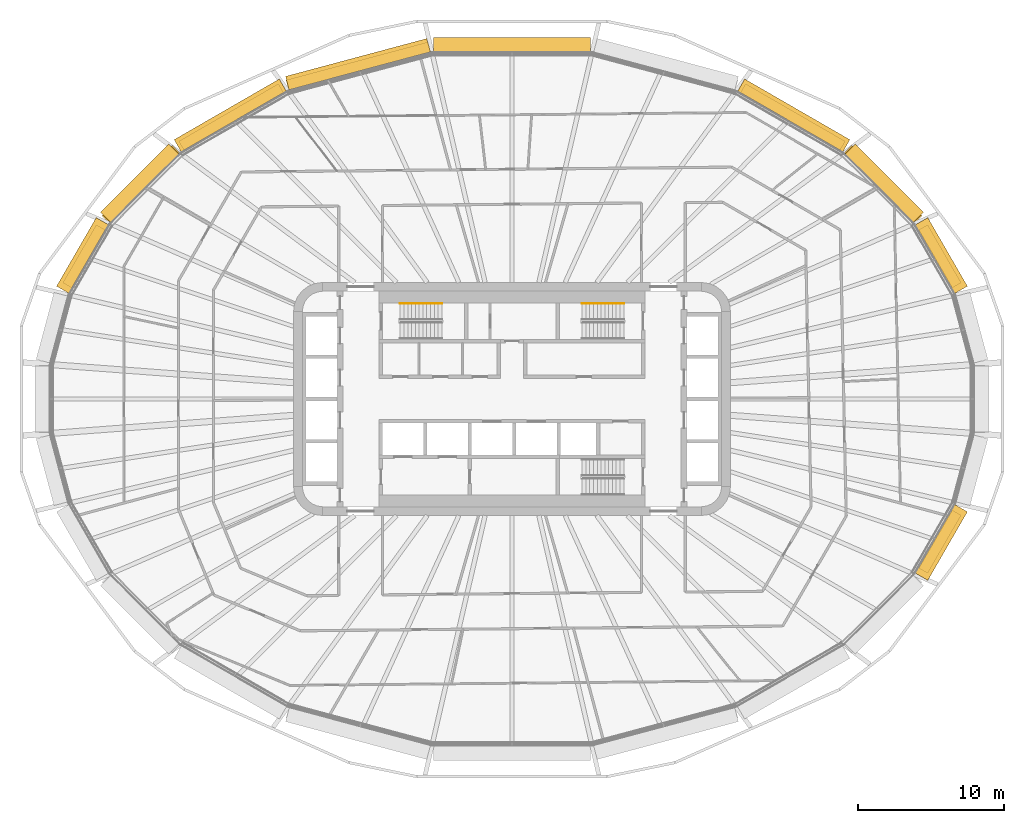
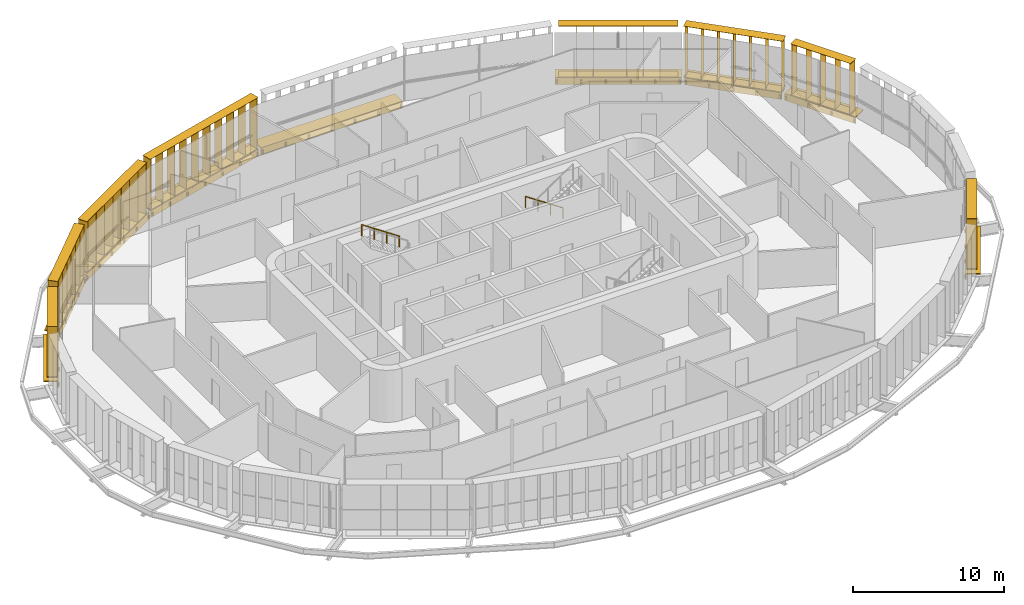
# One storey, part 25 of 26: 17 shading devices, 2 railings.
"""IFC4 building model written with IfcOpenShell, lengths in metres."""

from ifc_helpers import new_model, si_unit, direction, frame, origin, origin_2d, place, context, subcontext, project, spatial, rectangle, circle, extrude, material, type_object, element, save


model = new_model("IFC4")

# Units and contexts
model_context = context("Model", 3, precision=1e-05, world=origin(), true_north=direction((0.0, 1.0)))
body_context = subcontext(model_context, "Body", "Model", "MODEL_VIEW")
ifc_project = project(units=[si_unit("LENGTHUNIT", "METRE"), si_unit("AREAUNIT", "SQUARE_METRE"), si_unit("VOLUMEUNIT", "CUBIC_METRE"), si_unit("PLANEANGLEUNIT", "RADIAN"), si_unit("MASSUNIT", "GRAM", prefix="KILO")], contexts=[model_context])

# Site, building, storey
site_placement = place(None, origin())
site = spatial("IfcSite", under=ifc_project, at=site_placement, CompositionType="ELEMENT")
building_placement = place(site_placement, origin())
building = spatial("IfcBuilding", under=site, at=building_placement, Name="Sahrelin Media Tower", CompositionType="ELEMENT")
storey_placement = place(building_placement, frame((0.0, 0.0, 92.39990234375)))
storey = spatial("IfcBuildingStorey", under=building, at=storey_placement, Name="L17", CompositionType="ELEMENT", Elevation=92.39990234375)

# Shading devices
ifc_material_1 = material(Name="Champagne anodised aluminium 6063-T6", Category="aluminium")
shading_device_type_1 = type_object("IfcShadingDeviceType", Name="Fin cassette", PredefinedType="USERDEFINED", material=ifc_material_1)
placement_1 = place(storey_placement, frame((29.021484375, 9.58837890625, 0.0), z_axis=(0.0, 0.0, 1.0), x_axis=(0.500011000363, -0.866019052629, 0.0)))
element("IfcShadingDevice", 1, at=placement_1, inside=storey, type_object=shading_device_type_1, Name="L17:FIN:L17-02", ObjectType="FIN", PredefinedType="USERDEFINED", context=body_context, shape_type="SweptSolid", body=[
    extrude(rectangle(XDim=4.60009765625, YDim=0.699951171875, at=origin_2d()), frame((0.0, 0.419921875, 0.0)), (0.0, 0.0, 1.0), 0.02001953125),
    extrude(rectangle(XDim=4.60009765625, YDim=0.699951171875, at=origin_2d()), frame((0.0, 0.419921875, 4.10009765625)), (0.0, 0.0, 1.0), 0.02001953125),
    extrude(rectangle(XDim=0.02001953125, YDim=0.699951171875, at=origin_2d()), frame((-2.199951171875, 0.419921875, 0.010009765625), z_axis=(0.0, 0.0, 1.0), x_axis=(1.0, 0.0, 0.0)), (0.0, 0.0, 1.0), 4.10009765625),
    extrude(rectangle(XDim=0.02001953125, YDim=0.699951171875, at=origin_2d()), frame((-1.10009765625, 0.419921875, 0.010009765625), z_axis=(0.0, 0.0, 1.0), x_axis=(1.0, 0.0, 0.0)), (0.0, 0.0, 1.0), 4.10009765625),
    extrude(rectangle(XDim=0.02001953125, YDim=0.699951171875, at=origin_2d()), frame((0.0, 0.419921875, 0.010009765625), z_axis=(0.0, 0.0, 1.0), x_axis=(1.0, 0.0, 0.0)), (0.0, 0.0, 1.0), 4.10009765625),
    extrude(rectangle(XDim=0.02001953125, YDim=0.699951171875, at=origin_2d()), frame((1.10009765625, 0.419921875, 0.010009765625), z_axis=(0.0, 0.0, 1.0), x_axis=(1.0, 0.0, 0.0)), (0.0, 0.0, 1.0), 4.10009765625),
    extrude(rectangle(XDim=0.02001953125, YDim=0.699951171875, at=origin_2d()), frame((2.199951171875, 0.419921875, 0.010009765625), z_axis=(0.0, 0.0, 1.0), x_axis=(1.0, 0.0, 0.0)), (0.0, 0.0, 1.0), 4.10009765625),
])
placement_2 = place(storey_placement, frame((25.192138671875, 14.44873046875, 0.0), z_axis=(0.0, 0.0, 1.0), x_axis=(0.707106781187, -0.707106781187, 0.0)))
element("IfcShadingDevice", 2, at=placement_2, inside=storey, type_object=shading_device_type_1, Name="L17:FIN:L17-03", ObjectType="FIN", PredefinedType="USERDEFINED", context=body_context, shape_type="SweptSolid", body=[
    extrude(rectangle(XDim=6.800048828125, YDim=0.699951171875, at=origin_2d()), frame((0.0, 0.419921875, 0.0)), (0.0, 0.0, 1.0), 0.02001953125),
    extrude(rectangle(XDim=6.800048828125, YDim=0.699951171875, at=origin_2d()), frame((0.0, 0.419921875, 4.10009765625)), (0.0, 0.0, 1.0), 0.02001953125),
    extrude(rectangle(XDim=0.02001953125, YDim=0.699951171875, at=origin_2d()), frame((-3.300048828125, 0.419921875, 0.010009765625), z_axis=(0.0, 0.0, 1.0), x_axis=(1.0, 0.0, 0.0)), (0.0, 0.0, 1.0), 4.10009765625),
    extrude(rectangle(XDim=0.02001953125, YDim=0.699951171875, at=origin_2d()), frame((-2.199951171875, 0.419921875, 0.010009765625), z_axis=(0.0, 0.0, 1.0), x_axis=(1.0, 0.0, 0.0)), (0.0, 0.0, 1.0), 4.10009765625),
    extrude(rectangle(XDim=0.02001953125, YDim=0.699951171875, at=origin_2d()), frame((-1.10009765625, 0.419921875, 0.010009765625), z_axis=(0.0, 0.0, 1.0), x_axis=(1.0, 0.0, 0.0)), (0.0, 0.0, 1.0), 4.10009765625),
    extrude(rectangle(XDim=0.02001953125, YDim=0.699951171875, at=origin_2d()), frame((0.0, 0.419921875, 0.010009765625), z_axis=(0.0, 0.0, 1.0), x_axis=(1.0, 0.0, 0.0)), (0.0, 0.0, 1.0), 4.10009765625),
    extrude(rectangle(XDim=0.02001953125, YDim=0.699951171875, at=origin_2d()), frame((1.10009765625, 0.419921875, 0.010009765625), z_axis=(0.0, 0.0, 1.0), x_axis=(1.0, 0.0, 0.0)), (0.0, 0.0, 1.0), 4.10009765625),
    extrude(rectangle(XDim=0.02001953125, YDim=0.699951171875, at=origin_2d()), frame((2.199951171875, 0.419921875, 0.010009765625), z_axis=(0.0, 0.0, 1.0), x_axis=(1.0, 0.0, 0.0)), (0.0, 0.0, 1.0), 4.10009765625),
    extrude(rectangle(XDim=0.02001953125, YDim=0.699951171875, at=origin_2d()), frame((3.300048828125, 0.419921875, 0.010009765625), z_axis=(0.0, 0.0, 1.0), x_axis=(1.0, 0.0, 0.0)), (0.0, 0.0, 1.0), 4.10009765625),
])
placement_3 = place(storey_placement, frame((19.074951171875, 19.003662109375, 0.0), z_axis=(0.0, 0.0, 1.0), x_axis=(0.866019052629, -0.500011000363, 0.0)))
element("IfcShadingDevice", 3, at=placement_3, inside=storey, type_object=shading_device_type_1, Name="L17:FIN:L17-04", ObjectType="FIN", PredefinedType="USERDEFINED", context=body_context, shape_type="SweptSolid", body=[
    extrude(rectangle(XDim=7.89990234375, YDim=0.699951171875, at=origin_2d()), frame((0.0, 0.419921875, 0.0)), (0.0, 0.0, 1.0), 0.02001953125),
    extrude(rectangle(XDim=7.89990234375, YDim=0.699951171875, at=origin_2d()), frame((0.0, 0.419921875, 4.10009765625)), (0.0, 0.0, 1.0), 0.02001953125),
    extrude(rectangle(XDim=0.02001953125, YDim=0.699951171875, at=origin_2d()), frame((-3.85009765625, 0.419921875, 0.010009765625), z_axis=(0.0, 0.0, 1.0), x_axis=(1.0, 0.0, 0.0)), (0.0, 0.0, 1.0), 4.10009765625),
    extrude(rectangle(XDim=0.02001953125, YDim=0.699951171875, at=origin_2d()), frame((-2.75, 0.419921875, 0.010009765625), z_axis=(0.0, 0.0, 1.0), x_axis=(1.0, 0.0, 0.0)), (0.0, 0.0, 1.0), 4.10009765625),
    extrude(rectangle(XDim=0.02001953125, YDim=0.699951171875, at=origin_2d()), frame((-1.64990234375, 0.419921875, 0.010009765625), z_axis=(0.0, 0.0, 1.0), x_axis=(1.0, 0.0, 0.0)), (0.0, 0.0, 1.0), 4.10009765625),
    extrude(rectangle(XDim=0.02001953125, YDim=0.699951171875, at=origin_2d()), frame((-0.550048828125, 0.419921875, 0.010009765625), z_axis=(0.0, 0.0, 1.0), x_axis=(1.0, 0.0, 0.0)), (0.0, 0.0, 1.0), 4.10009765625),
    extrude(rectangle(XDim=0.02001953125, YDim=0.699951171875, at=origin_2d()), frame((0.550048828125, 0.419921875, 0.010009765625), z_axis=(0.0, 0.0, 1.0), x_axis=(1.0, 0.0, 0.0)), (0.0, 0.0, 1.0), 4.10009765625),
    extrude(rectangle(XDim=0.02001953125, YDim=0.699951171875, at=origin_2d()), frame((1.64990234375, 0.419921875, 0.010009765625), z_axis=(0.0, 0.0, 1.0), x_axis=(1.0, 0.0, 0.0)), (0.0, 0.0, 1.0), 4.10009765625),
    extrude(rectangle(XDim=0.02001953125, YDim=0.699951171875, at=origin_2d()), frame((2.75, 0.419921875, 0.010009765625), z_axis=(0.0, 0.0, 1.0), x_axis=(1.0, 0.0, 0.0)), (0.0, 0.0, 1.0), 4.10009765625),
    extrude(rectangle(XDim=0.02001953125, YDim=0.699951171875, at=origin_2d()), frame((3.85009765625, 0.419921875, 0.010009765625), z_axis=(0.0, 0.0, 1.0), x_axis=(1.0, 0.0, 0.0)), (0.0, 0.0, 1.0), 4.10009765625),
])
placement_4 = place(storey_placement, frame((-10.436279296875, 22.462158203125, 0.0), z_axis=(0.0, 0.0, 1.0), x_axis=(0.965928857556, 0.258807731996, 0.0)))
element("IfcShadingDevice", 4, at=placement_4, inside=storey, type_object=shading_device_type_1, Name="L17:FIN:L17-07", ObjectType="FIN", PredefinedType="USERDEFINED", context=body_context, shape_type="SweptSolid", body=[
    extrude(rectangle(XDim=10.10009765625, YDim=0.699951171875, at=origin_2d()), frame((0.0, 0.419921875, 0.0)), (0.0, 0.0, 1.0), 0.02001953125),
    extrude(rectangle(XDim=10.10009765625, YDim=0.699951171875, at=origin_2d()), frame((0.0, 0.419921875, 4.10009765625)), (0.0, 0.0, 1.0), 0.02001953125),
    extrude(rectangle(XDim=0.02001953125, YDim=0.699951171875, at=origin_2d()), frame((-4.949951171875, 0.419921875, 0.010009765625), z_axis=(0.0, 0.0, 1.0), x_axis=(1.0, 0.0, 0.0)), (0.0, 0.0, 1.0), 4.10009765625),
    extrude(rectangle(XDim=0.02001953125, YDim=0.699951171875, at=origin_2d()), frame((-3.85009765625, 0.419921875, 0.010009765625), z_axis=(0.0, 0.0, 1.0), x_axis=(1.0, 0.0, 0.0)), (0.0, 0.0, 1.0), 4.10009765625),
    extrude(rectangle(XDim=0.02001953125, YDim=0.699951171875, at=origin_2d()), frame((-2.75, 0.419921875, 0.010009765625), z_axis=(0.0, 0.0, 1.0), x_axis=(1.0, 0.0, 0.0)), (0.0, 0.0, 1.0), 4.10009765625),
    extrude(rectangle(XDim=0.02001953125, YDim=0.699951171875, at=origin_2d()), frame((-1.64990234375, 0.419921875, 0.010009765625), z_axis=(0.0, 0.0, 1.0), x_axis=(1.0, 0.0, 0.0)), (0.0, 0.0, 1.0), 4.10009765625),
    extrude(rectangle(XDim=0.02001953125, YDim=0.699951171875, at=origin_2d()), frame((-0.550048828125, 0.419921875, 0.010009765625), z_axis=(0.0, 0.0, 1.0), x_axis=(1.0, 0.0, 0.0)), (0.0, 0.0, 1.0), 4.10009765625),
    extrude(rectangle(XDim=0.02001953125, YDim=0.699951171875, at=origin_2d()), frame((0.550048828125, 0.419921875, 0.010009765625), z_axis=(0.0, 0.0, 1.0), x_axis=(1.0, 0.0, 0.0)), (0.0, 0.0, 1.0), 4.10009765625),
    extrude(rectangle(XDim=0.02001953125, YDim=0.699951171875, at=origin_2d()), frame((1.64990234375, 0.419921875, 0.010009765625), z_axis=(0.0, 0.0, 1.0), x_axis=(1.0, 0.0, 0.0)), (0.0, 0.0, 1.0), 4.10009765625),
    extrude(rectangle(XDim=0.02001953125, YDim=0.699951171875, at=origin_2d()), frame((2.75, 0.419921875, 0.010009765625), z_axis=(0.0, 0.0, 1.0), x_axis=(1.0, 0.0, 0.0)), (0.0, 0.0, 1.0), 4.10009765625),
    extrude(rectangle(XDim=0.02001953125, YDim=0.699951171875, at=origin_2d()), frame((3.85009765625, 0.419921875, 0.010009765625), z_axis=(0.0, 0.0, 1.0), x_axis=(1.0, 0.0, 0.0)), (0.0, 0.0, 1.0), 4.10009765625),
    extrude(rectangle(XDim=0.02001953125, YDim=0.699951171875, at=origin_2d()), frame((4.949951171875, 0.419921875, 0.010009765625), z_axis=(0.0, 0.0, 1.0), x_axis=(1.0, 0.0, 0.0)), (0.0, 0.0, 1.0), 4.10009765625),
])
placement_5 = place(storey_placement, frame((-19.074951171875, 19.003662109375, 0.0), z_axis=(0.0, 0.0, 1.0), x_axis=(0.866019052629, 0.500011000363, 0.0)))
element("IfcShadingDevice", 5, at=placement_5, inside=storey, type_object=shading_device_type_1, Name="L17:FIN:L17-08", ObjectType="FIN", PredefinedType="USERDEFINED", context=body_context, shape_type="SweptSolid", body=[
    extrude(rectangle(XDim=7.89990234375, YDim=0.699951171875, at=origin_2d()), frame((0.0, 0.419921875, 0.0)), (0.0, 0.0, 1.0), 0.02001953125),
    extrude(rectangle(XDim=7.89990234375, YDim=0.699951171875, at=origin_2d()), frame((0.0, 0.419921875, 4.10009765625)), (0.0, 0.0, 1.0), 0.02001953125),
    extrude(rectangle(XDim=0.02001953125, YDim=0.699951171875, at=origin_2d()), frame((-3.85009765625, 0.419921875, 0.010009765625), z_axis=(0.0, 0.0, 1.0), x_axis=(1.0, 0.0, 0.0)), (0.0, 0.0, 1.0), 4.10009765625),
    extrude(rectangle(XDim=0.02001953125, YDim=0.699951171875, at=origin_2d()), frame((-2.75, 0.419921875, 0.010009765625), z_axis=(0.0, 0.0, 1.0), x_axis=(1.0, 0.0, 0.0)), (0.0, 0.0, 1.0), 4.10009765625),
    extrude(rectangle(XDim=0.02001953125, YDim=0.699951171875, at=origin_2d()), frame((-1.64990234375, 0.419921875, 0.010009765625), z_axis=(0.0, 0.0, 1.0), x_axis=(1.0, 0.0, 0.0)), (0.0, 0.0, 1.0), 4.10009765625),
    extrude(rectangle(XDim=0.02001953125, YDim=0.699951171875, at=origin_2d()), frame((-0.550048828125, 0.419921875, 0.010009765625), z_axis=(0.0, 0.0, 1.0), x_axis=(1.0, 0.0, 0.0)), (0.0, 0.0, 1.0), 4.10009765625),
    extrude(rectangle(XDim=0.02001953125, YDim=0.699951171875, at=origin_2d()), frame((0.550048828125, 0.419921875, 0.010009765625), z_axis=(0.0, 0.0, 1.0), x_axis=(1.0, 0.0, 0.0)), (0.0, 0.0, 1.0), 4.10009765625),
    extrude(rectangle(XDim=0.02001953125, YDim=0.699951171875, at=origin_2d()), frame((1.64990234375, 0.419921875, 0.010009765625), z_axis=(0.0, 0.0, 1.0), x_axis=(1.0, 0.0, 0.0)), (0.0, 0.0, 1.0), 4.10009765625),
    extrude(rectangle(XDim=0.02001953125, YDim=0.699951171875, at=origin_2d()), frame((2.75, 0.419921875, 0.010009765625), z_axis=(0.0, 0.0, 1.0), x_axis=(1.0, 0.0, 0.0)), (0.0, 0.0, 1.0), 4.10009765625),
    extrude(rectangle(XDim=0.02001953125, YDim=0.699951171875, at=origin_2d()), frame((3.85009765625, 0.419921875, 0.010009765625), z_axis=(0.0, 0.0, 1.0), x_axis=(1.0, 0.0, 0.0)), (0.0, 0.0, 1.0), 4.10009765625),
])
placement_6 = place(storey_placement, frame((-25.192138671875, 14.448486328125, 0.0), z_axis=(0.0, 0.0, 1.0), x_axis=(0.707106781187, 0.707106781187, 0.0)))
element("IfcShadingDevice", 6, at=placement_6, inside=storey, type_object=shading_device_type_1, Name="L17:FIN:L17-09", ObjectType="FIN", PredefinedType="USERDEFINED", context=body_context, shape_type="SweptSolid", body=[
    extrude(rectangle(XDim=6.800048828125, YDim=0.699951171875, at=origin_2d()), frame((0.0, 0.419921875, 0.0)), (0.0, 0.0, 1.0), 0.02001953125),
    extrude(rectangle(XDim=6.800048828125, YDim=0.699951171875, at=origin_2d()), frame((0.0, 0.419921875, 4.10009765625)), (0.0, 0.0, 1.0), 0.02001953125),
    extrude(rectangle(XDim=0.02001953125, YDim=0.699951171875, at=origin_2d()), frame((-3.300048828125, 0.419921875, 0.010009765625), z_axis=(0.0, 0.0, 1.0), x_axis=(1.0, 0.0, 0.0)), (0.0, 0.0, 1.0), 4.10009765625),
    extrude(rectangle(XDim=0.02001953125, YDim=0.699951171875, at=origin_2d()), frame((-2.199951171875, 0.419921875, 0.010009765625), z_axis=(0.0, 0.0, 1.0), x_axis=(1.0, 0.0, 0.0)), (0.0, 0.0, 1.0), 4.10009765625),
    extrude(rectangle(XDim=0.02001953125, YDim=0.699951171875, at=origin_2d()), frame((-1.10009765625, 0.419921875, 0.010009765625), z_axis=(0.0, 0.0, 1.0), x_axis=(1.0, 0.0, 0.0)), (0.0, 0.0, 1.0), 4.10009765625),
    extrude(rectangle(XDim=0.02001953125, YDim=0.699951171875, at=origin_2d()), frame((0.0, 0.419921875, 0.010009765625), z_axis=(0.0, 0.0, 1.0), x_axis=(1.0, 0.0, 0.0)), (0.0, 0.0, 1.0), 4.10009765625),
    extrude(rectangle(XDim=0.02001953125, YDim=0.699951171875, at=origin_2d()), frame((1.10009765625, 0.419921875, 0.010009765625), z_axis=(0.0, 0.0, 1.0), x_axis=(1.0, 0.0, 0.0)), (0.0, 0.0, 1.0), 4.10009765625),
    extrude(rectangle(XDim=0.02001953125, YDim=0.699951171875, at=origin_2d()), frame((2.199951171875, 0.419921875, 0.010009765625), z_axis=(0.0, 0.0, 1.0), x_axis=(1.0, 0.0, 0.0)), (0.0, 0.0, 1.0), 4.10009765625),
    extrude(rectangle(XDim=0.02001953125, YDim=0.699951171875, at=origin_2d()), frame((3.300048828125, 0.419921875, 0.010009765625), z_axis=(0.0, 0.0, 1.0), x_axis=(1.0, 0.0, 0.0)), (0.0, 0.0, 1.0), 4.10009765625),
])
placement_7 = place(storey_placement, frame((-29.021484375, 9.58837890625, 0.0), z_axis=(0.0, 0.0, 1.0), x_axis=(0.500011000363, 0.866019052629, 0.0)))
element("IfcShadingDevice", 7, at=placement_7, inside=storey, type_object=shading_device_type_1, Name="L17:FIN:L17-10", ObjectType="FIN", PredefinedType="USERDEFINED", context=body_context, shape_type="SweptSolid", body=[
    extrude(rectangle(XDim=4.60009765625, YDim=0.699951171875, at=origin_2d()), frame((0.0, 0.419921875, 0.0)), (0.0, 0.0, 1.0), 0.02001953125),
    extrude(rectangle(XDim=4.60009765625, YDim=0.699951171875, at=origin_2d()), frame((0.0, 0.419921875, 4.10009765625)), (0.0, 0.0, 1.0), 0.02001953125),
    extrude(rectangle(XDim=0.02001953125, YDim=0.699951171875, at=origin_2d()), frame((-2.199951171875, 0.419921875, 0.010009765625), z_axis=(0.0, 0.0, 1.0), x_axis=(1.0, 0.0, 0.0)), (0.0, 0.0, 1.0), 4.10009765625),
    extrude(rectangle(XDim=0.02001953125, YDim=0.699951171875, at=origin_2d()), frame((-1.10009765625, 0.419921875, 0.010009765625), z_axis=(0.0, 0.0, 1.0), x_axis=(1.0, 0.0, 0.0)), (0.0, 0.0, 1.0), 4.10009765625),
    extrude(rectangle(XDim=0.02001953125, YDim=0.699951171875, at=origin_2d()), frame((0.0, 0.419921875, 0.010009765625), z_axis=(0.0, 0.0, 1.0), x_axis=(1.0, 0.0, 0.0)), (0.0, 0.0, 1.0), 4.10009765625),
    extrude(rectangle(XDim=0.02001953125, YDim=0.699951171875, at=origin_2d()), frame((1.10009765625, 0.419921875, 0.010009765625), z_axis=(0.0, 0.0, 1.0), x_axis=(1.0, 0.0, 0.0)), (0.0, 0.0, 1.0), 4.10009765625),
    extrude(rectangle(XDim=0.02001953125, YDim=0.699951171875, at=origin_2d()), frame((2.199951171875, 0.419921875, 0.010009765625), z_axis=(0.0, 0.0, 1.0), x_axis=(1.0, 0.0, 0.0)), (0.0, 0.0, 1.0), 4.10009765625),
])
placement_8 = place(storey_placement, frame((29.021484375, -9.58837890625, 0.0), z_axis=(0.0, 0.0, 1.0), x_axis=(-0.500011000363, -0.866019052629, 0.0)))
element("IfcShadingDevice", 8, at=placement_8, inside=storey, type_object=shading_device_type_1, Name="L17:FIN:L17-22", ObjectType="FIN", PredefinedType="USERDEFINED", context=body_context, shape_type="SweptSolid", body=[
    extrude(rectangle(XDim=4.60009765625, YDim=0.699951171875, at=origin_2d()), frame((0.0, 0.419921875, 0.0)), (0.0, 0.0, 1.0), 0.02001953125),
    extrude(rectangle(XDim=4.60009765625, YDim=0.699951171875, at=origin_2d()), frame((0.0, 0.419921875, 4.10009765625)), (0.0, 0.0, 1.0), 0.02001953125),
    extrude(rectangle(XDim=0.02001953125, YDim=0.699951171875, at=origin_2d()), frame((-2.199951171875, 0.419921875, 0.010009765625), z_axis=(0.0, 0.0, 1.0), x_axis=(1.0, 0.0, 0.0)), (0.0, 0.0, 1.0), 4.10009765625),
    extrude(rectangle(XDim=0.02001953125, YDim=0.699951171875, at=origin_2d()), frame((-1.10009765625, 0.419921875, 0.010009765625), z_axis=(0.0, 0.0, 1.0), x_axis=(1.0, 0.0, 0.0)), (0.0, 0.0, 1.0), 4.10009765625),
    extrude(rectangle(XDim=0.02001953125, YDim=0.699951171875, at=origin_2d()), frame((0.0, 0.419921875, 0.010009765625), z_axis=(0.0, 0.0, 1.0), x_axis=(1.0, 0.0, 0.0)), (0.0, 0.0, 1.0), 4.10009765625),
    extrude(rectangle(XDim=0.02001953125, YDim=0.699951171875, at=origin_2d()), frame((1.10009765625, 0.419921875, 0.010009765625), z_axis=(0.0, 0.0, 1.0), x_axis=(1.0, 0.0, 0.0)), (0.0, 0.0, 1.0), 4.10009765625),
    extrude(rectangle(XDim=0.02001953125, YDim=0.699951171875, at=origin_2d()), frame((2.199951171875, 0.419921875, 0.010009765625), z_axis=(0.0, 0.0, 1.0), x_axis=(1.0, 0.0, 0.0)), (0.0, 0.0, 1.0), 4.10009765625),
])

# Railings
ifc_material_2 = material(Name="Steel S355", Category="steel")
railing_type = type_object("IfcRailingType", Name="Stair handrail 900", PredefinedType="HANDRAIL", material=ifc_material_2)
for number, where, name in (
    (9, (-4.81494140625, 6.550048828125, 2.275146484375), "L17 ST1 stair handrail 2"),
    (10, (7.675048828125, 6.550048828125, 0.175048828125), "L17 ST3 stair handrail 1"),
):
    element("IfcRailing", number, at=place(storey_placement, frame(where)), inside=storey, type_object=railing_type, Name=name, PredefinedType="HANDRAIL", context=body_context, shape_type="SweptSolid", body=[
        extrude(circle(Radius=0.02392578125, at=origin_2d()), frame((0.0, 0.0, 0.8759765625), z_axis=(-0.829590901723, 0.0, 0.558371682465), x_axis=(0.0, -1.0, 0.0)), (0.0, 0.0, 1.0), 3.447509765625),
        extrude(circle(Radius=0.02099609375, at=origin_2d()), origin(), (0.0, 0.0, 1.0), 0.851806640625),
        extrude(circle(Radius=0.02099609375, at=origin_2d()), frame((-0.953369140625, 0.0, 0.6416015625)), (0.0, 0.0, 1.0), 0.851806640625),
        extrude(circle(Radius=0.02099609375, at=origin_2d()), frame((-1.90673828125, 0.0, 1.283447265625)), (0.0, 0.0, 1.0), 0.851806640625),
        extrude(circle(Radius=0.02099609375, at=origin_2d()), frame((-2.860107421875, 0.0, 1.925048828125)), (0.0, 0.0, 1.0), 0.851806640625),
    ])

# Shading devices
shading_device_type_2 = type_object("IfcShadingDeviceType", Name="Sunshade band", PredefinedType="USERDEFINED", material=ifc_material_1)
element("IfcShadingDevice", 11, at=placement_1, inside=storey, type_object=shading_device_type_2, Name="L17:SUN:L17-02", ObjectType="SUNSHADE", PredefinedType="USERDEFINED", context=body_context, shape_type="SweptSolid", body=[
    extrude(rectangle(XDim=5.43408203125, YDim=0.050048828125, at=origin_2d()), frame((0.0, 0.044921875, -0.55126953125)), (0.0, 0.0, 1.0), 0.471435546875),
    extrude(rectangle(XDim=5.43408203125, YDim=1.0, at=origin_2d()), frame((0.0, 0.52001953125, -0.080078125)), (0.0, 0.0, 1.0), 0.080078125),
    extrude(rectangle(XDim=0.10009765625, YDim=0.074951171875, at=origin_2d()), frame((-2.616943359375, -0.017578125, -0.47021484375)), (0.0, 0.0, 1.0), 0.300048828125),
    extrude(rectangle(XDim=0.10009765625, YDim=0.074951171875, at=origin_2d()), frame((-0.872314453125, -0.017578125, -0.47021484375)), (0.0, 0.0, 1.0), 0.300048828125),
    extrude(rectangle(XDim=0.10009765625, YDim=0.074951171875, at=origin_2d()), frame((0.872314453125, -0.017578125, -0.47021484375)), (0.0, 0.0, 1.0), 0.300048828125),
    extrude(rectangle(XDim=0.10009765625, YDim=0.074951171875, at=origin_2d()), frame((2.616943359375, -0.017578125, -0.47021484375)), (0.0, 0.0, 1.0), 0.300048828125),
])
element("IfcShadingDevice", 12, at=placement_2, inside=storey, type_object=shading_device_type_2, Name="L17:SUN:L17-03", ObjectType="SUNSHADE", PredefinedType="USERDEFINED", context=body_context, shape_type="SweptSolid", body=[
    extrude(rectangle(XDim=6.64697265625, YDim=0.050048828125, at=origin_2d()), frame((0.0, 0.044921875, -0.55126953125)), (0.0, 0.0, 1.0), 0.471435546875),
    extrude(rectangle(XDim=6.64697265625, YDim=1.0, at=origin_2d()), frame((0.0, 0.52001953125, -0.080078125)), (0.0, 0.0, 1.0), 0.080078125),
    extrude(rectangle(XDim=0.10009765625, YDim=0.074951171875, at=origin_2d()), frame((-3.223388671875, -0.017578125, -0.47021484375)), (0.0, 0.0, 1.0), 0.300048828125),
    extrude(rectangle(XDim=0.10009765625, YDim=0.074951171875, at=origin_2d()), frame((-1.61181640625, -0.017578125, -0.47021484375)), (0.0, 0.0, 1.0), 0.300048828125),
    extrude(rectangle(XDim=0.10009765625, YDim=0.074951171875, at=origin_2d()), frame((0.0, -0.017578125, -0.47021484375)), (0.0, 0.0, 1.0), 0.300048828125),
    extrude(rectangle(XDim=0.10009765625, YDim=0.074951171875, at=origin_2d()), frame((1.61181640625, -0.017578125, -0.47021484375)), (0.0, 0.0, 1.0), 0.300048828125),
    extrude(rectangle(XDim=0.10009765625, YDim=0.074951171875, at=origin_2d()), frame((3.223388671875, -0.017578125, -0.47021484375)), (0.0, 0.0, 1.0), 0.300048828125),
])
element("IfcShadingDevice", 13, at=placement_3, inside=storey, type_object=shading_device_type_2, Name="L17:SUN:L17-04", ObjectType="SUNSHADE", PredefinedType="USERDEFINED", context=body_context, shape_type="SweptSolid", body=[
    extrude(rectangle(XDim=8.336669921875, YDim=0.050048828125, at=origin_2d()), frame((0.0, 0.044921875, -0.55126953125)), (0.0, 0.0, 1.0), 0.471435546875),
    extrude(rectangle(XDim=8.336669921875, YDim=1.0, at=origin_2d()), frame((0.0, 0.52001953125, -0.080078125)), (0.0, 0.0, 1.0), 0.080078125),
    extrude(rectangle(XDim=0.10009765625, YDim=0.074951171875, at=origin_2d()), frame((-4.068359375, -0.017578125, -0.47021484375)), (0.0, 0.0, 1.0), 0.300048828125),
    extrude(rectangle(XDim=0.10009765625, YDim=0.074951171875, at=origin_2d()), frame((-2.44091796875, -0.017578125, -0.47021484375)), (0.0, 0.0, 1.0), 0.300048828125),
    extrude(rectangle(XDim=0.10009765625, YDim=0.074951171875, at=origin_2d()), frame((-0.813720703125, -0.017578125, -0.47021484375)), (0.0, 0.0, 1.0), 0.300048828125),
    extrude(rectangle(XDim=0.10009765625, YDim=0.074951171875, at=origin_2d()), frame((0.813720703125, -0.017578125, -0.47021484375)), (0.0, 0.0, 1.0), 0.300048828125),
    extrude(rectangle(XDim=0.10009765625, YDim=0.074951171875, at=origin_2d()), frame((2.44091796875, -0.017578125, -0.47021484375)), (0.0, 0.0, 1.0), 0.300048828125),
    extrude(rectangle(XDim=0.10009765625, YDim=0.074951171875, at=origin_2d()), frame((4.068359375, -0.017578125, -0.47021484375)), (0.0, 0.0, 1.0), 0.300048828125),
])
shading_device_12_placement = place(storey_placement, frame((0.0, 23.786376953125, 0.0), z_axis=(0.0, 0.0, 1.0), x_axis=(1.0, 0.0, 0.0)))
element("IfcShadingDevice", 14, at=shading_device_12_placement, inside=storey, type_object=shading_device_type_2, Name="L17:SUN:L17-06", ObjectType="SUNSHADE", PredefinedType="USERDEFINED", context=body_context, shape_type="SweptSolid", body=[
    extrude(rectangle(XDim=10.7880859375, YDim=0.050048828125, at=origin_2d()), frame((0.0, 0.044921875, -0.55126953125)), (0.0, 0.0, 1.0), 0.471435546875),
    extrude(rectangle(XDim=10.7880859375, YDim=1.0, at=origin_2d()), frame((0.0, 0.52001953125, -0.080078125)), (0.0, 0.0, 1.0), 0.080078125),
    extrude(rectangle(XDim=0.10009765625, YDim=0.074951171875, at=origin_2d()), frame((-5.2939453125, -0.017578125, -0.47021484375)), (0.0, 0.0, 1.0), 0.300048828125),
    extrude(rectangle(XDim=0.10009765625, YDim=0.074951171875, at=origin_2d()), frame((-3.529296875, -0.017578125, -0.47021484375)), (0.0, 0.0, 1.0), 0.300048828125),
    extrude(rectangle(XDim=0.10009765625, YDim=0.074951171875, at=origin_2d()), frame((-1.7646484375, -0.017578125, -0.47021484375)), (0.0, 0.0, 1.0), 0.300048828125),
    extrude(rectangle(XDim=0.10009765625, YDim=0.074951171875, at=origin_2d()), frame((0.0, -0.017578125, -0.47021484375)), (0.0, 0.0, 1.0), 0.300048828125),
    extrude(rectangle(XDim=0.10009765625, YDim=0.074951171875, at=origin_2d()), frame((1.7646484375, -0.017578125, -0.47021484375)), (0.0, 0.0, 1.0), 0.300048828125),
    extrude(rectangle(XDim=0.10009765625, YDim=0.074951171875, at=origin_2d()), frame((3.529296875, -0.017578125, -0.47021484375)), (0.0, 0.0, 1.0), 0.300048828125),
    extrude(rectangle(XDim=0.10009765625, YDim=0.074951171875, at=origin_2d()), frame((5.2939453125, -0.017578125, -0.47021484375)), (0.0, 0.0, 1.0), 0.300048828125),
])
element("IfcShadingDevice", 15, at=placement_4, inside=storey, type_object=shading_device_type_2, Name="L17:SUN:L17-07", ObjectType="SUNSHADE", PredefinedType="USERDEFINED", context=body_context, shape_type="SweptSolid", body=[
    extrude(rectangle(XDim=10.033203125, YDim=0.050048828125, at=origin_2d()), frame((0.0, 0.044921875, -0.55126953125)), (0.0, 0.0, 1.0), 0.471435546875),
    extrude(rectangle(XDim=10.033203125, YDim=1.0, at=origin_2d()), frame((0.0, 0.52001953125, -0.080078125)), (0.0, 0.0, 1.0), 0.080078125),
    extrude(rectangle(XDim=0.10009765625, YDim=0.074951171875, at=origin_2d()), frame((-4.91650390625, -0.017578125, -0.47021484375)), (0.0, 0.0, 1.0), 0.300048828125),
    extrude(rectangle(XDim=0.10009765625, YDim=0.074951171875, at=origin_2d()), frame((-3.277587890625, -0.017578125, -0.47021484375)), (0.0, 0.0, 1.0), 0.300048828125),
    extrude(rectangle(XDim=0.10009765625, YDim=0.074951171875, at=origin_2d()), frame((-1.638916015625, -0.017578125, -0.47021484375)), (0.0, 0.0, 1.0), 0.300048828125),
    extrude(rectangle(XDim=0.10009765625, YDim=0.074951171875, at=origin_2d()), frame((0.0, -0.017578125, -0.47021484375)), (0.0, 0.0, 1.0), 0.300048828125),
    extrude(rectangle(XDim=0.10009765625, YDim=0.074951171875, at=origin_2d()), frame((1.638916015625, -0.017578125, -0.47021484375)), (0.0, 0.0, 1.0), 0.300048828125),
    extrude(rectangle(XDim=0.10009765625, YDim=0.074951171875, at=origin_2d()), frame((3.277587890625, -0.017578125, -0.47021484375)), (0.0, 0.0, 1.0), 0.300048828125),
    extrude(rectangle(XDim=0.10009765625, YDim=0.074951171875, at=origin_2d()), frame((4.91650390625, -0.017578125, -0.47021484375)), (0.0, 0.0, 1.0), 0.300048828125),
])
element("IfcShadingDevice", 16, at=placement_5, inside=storey, type_object=shading_device_type_2, Name="L17:SUN:L17-08", ObjectType="SUNSHADE", PredefinedType="USERDEFINED", context=body_context, shape_type="SweptSolid", body=[
    extrude(rectangle(XDim=8.336669921875, YDim=0.050048828125, at=origin_2d()), frame((0.0, 0.044921875, -0.55126953125)), (0.0, 0.0, 1.0), 0.471435546875),
    extrude(rectangle(XDim=8.336669921875, YDim=1.0, at=origin_2d()), frame((0.0, 0.52001953125, -0.080078125)), (0.0, 0.0, 1.0), 0.080078125),
    extrude(rectangle(XDim=0.10009765625, YDim=0.074951171875, at=origin_2d()), frame((-4.068359375, -0.017578125, -0.47021484375)), (0.0, 0.0, 1.0), 0.300048828125),
    extrude(rectangle(XDim=0.10009765625, YDim=0.074951171875, at=origin_2d()), frame((-2.44091796875, -0.017578125, -0.47021484375)), (0.0, 0.0, 1.0), 0.300048828125),
    extrude(rectangle(XDim=0.10009765625, YDim=0.074951171875, at=origin_2d()), frame((-0.813720703125, -0.017578125, -0.47021484375)), (0.0, 0.0, 1.0), 0.300048828125),
    extrude(rectangle(XDim=0.10009765625, YDim=0.074951171875, at=origin_2d()), frame((0.813720703125, -0.017578125, -0.47021484375)), (0.0, 0.0, 1.0), 0.300048828125),
    extrude(rectangle(XDim=0.10009765625, YDim=0.074951171875, at=origin_2d()), frame((2.44091796875, -0.017578125, -0.47021484375)), (0.0, 0.0, 1.0), 0.300048828125),
    extrude(rectangle(XDim=0.10009765625, YDim=0.074951171875, at=origin_2d()), frame((4.068359375, -0.017578125, -0.47021484375)), (0.0, 0.0, 1.0), 0.300048828125),
])
element("IfcShadingDevice", 17, at=placement_6, inside=storey, type_object=shading_device_type_2, Name="L17:SUN:L17-09", ObjectType="SUNSHADE", PredefinedType="USERDEFINED", context=body_context, shape_type="SweptSolid", body=[
    extrude(rectangle(XDim=6.64697265625, YDim=0.050048828125, at=origin_2d()), frame((0.0, 0.044921875, -0.55126953125)), (0.0, 0.0, 1.0), 0.471435546875),
    extrude(rectangle(XDim=6.64697265625, YDim=1.0, at=origin_2d()), frame((0.0, 0.52001953125, -0.080078125)), (0.0, 0.0, 1.0), 0.080078125),
    extrude(rectangle(XDim=0.10009765625, YDim=0.074951171875, at=origin_2d()), frame((-3.223388671875, -0.017578125, -0.47021484375)), (0.0, 0.0, 1.0), 0.300048828125),
    extrude(rectangle(XDim=0.10009765625, YDim=0.074951171875, at=origin_2d()), frame((-1.61181640625, -0.017578125, -0.47021484375)), (0.0, 0.0, 1.0), 0.300048828125),
    extrude(rectangle(XDim=0.10009765625, YDim=0.074951171875, at=origin_2d()), frame((0.0, -0.017578125, -0.47021484375)), (0.0, 0.0, 1.0), 0.300048828125),
    extrude(rectangle(XDim=0.10009765625, YDim=0.074951171875, at=origin_2d()), frame((1.61181640625, -0.017578125, -0.47021484375)), (0.0, 0.0, 1.0), 0.300048828125),
    extrude(rectangle(XDim=0.10009765625, YDim=0.074951171875, at=origin_2d()), frame((3.223388671875, -0.017578125, -0.47021484375)), (0.0, 0.0, 1.0), 0.300048828125),
])
element("IfcShadingDevice", 18, at=placement_7, inside=storey, type_object=shading_device_type_2, Name="L17:SUN:L17-10", ObjectType="SUNSHADE", PredefinedType="USERDEFINED", context=body_context, shape_type="SweptSolid", body=[
    extrude(rectangle(XDim=5.43408203125, YDim=0.050048828125, at=origin_2d()), frame((0.0, 0.044921875, -0.55126953125)), (0.0, 0.0, 1.0), 0.471435546875),
    extrude(rectangle(XDim=5.43408203125, YDim=1.0, at=origin_2d()), frame((0.0, 0.52001953125, -0.080078125)), (0.0, 0.0, 1.0), 0.080078125),
    extrude(rectangle(XDim=0.10009765625, YDim=0.074951171875, at=origin_2d()), frame((-2.616943359375, -0.017578125, -0.47021484375)), (0.0, 0.0, 1.0), 0.300048828125),
    extrude(rectangle(XDim=0.10009765625, YDim=0.074951171875, at=origin_2d()), frame((-0.872314453125, -0.017578125, -0.47021484375)), (0.0, 0.0, 1.0), 0.300048828125),
    extrude(rectangle(XDim=0.10009765625, YDim=0.074951171875, at=origin_2d()), frame((0.872314453125, -0.017578125, -0.47021484375)), (0.0, 0.0, 1.0), 0.300048828125),
    extrude(rectangle(XDim=0.10009765625, YDim=0.074951171875, at=origin_2d()), frame((2.616943359375, -0.017578125, -0.47021484375)), (0.0, 0.0, 1.0), 0.300048828125),
])
element("IfcShadingDevice", 19, at=placement_8, inside=storey, type_object=shading_device_type_2, Name="L17:SUN:L17-22", ObjectType="SUNSHADE", PredefinedType="USERDEFINED", context=body_context, shape_type="SweptSolid", body=[
    extrude(rectangle(XDim=5.43408203125, YDim=0.050048828125, at=origin_2d()), frame((0.0, 0.044921875, -0.55126953125)), (0.0, 0.0, 1.0), 0.471435546875),
    extrude(rectangle(XDim=5.43408203125, YDim=1.0, at=origin_2d()), frame((0.0, 0.52001953125, -0.080078125)), (0.0, 0.0, 1.0), 0.080078125),
    extrude(rectangle(XDim=0.10009765625, YDim=0.074951171875, at=origin_2d()), frame((-2.616943359375, -0.017578125, -0.47021484375)), (0.0, 0.0, 1.0), 0.300048828125),
    extrude(rectangle(XDim=0.10009765625, YDim=0.074951171875, at=origin_2d()), frame((-0.872314453125, -0.017578125, -0.47021484375)), (0.0, 0.0, 1.0), 0.300048828125),
    extrude(rectangle(XDim=0.10009765625, YDim=0.074951171875, at=origin_2d()), frame((0.872314453125, -0.017578125, -0.47021484375)), (0.0, 0.0, 1.0), 0.300048828125),
    extrude(rectangle(XDim=0.10009765625, YDim=0.074951171875, at=origin_2d()), frame((2.616943359375, -0.017578125, -0.47021484375)), (0.0, 0.0, 1.0), 0.300048828125),
])

save(model, "model.ifc")
